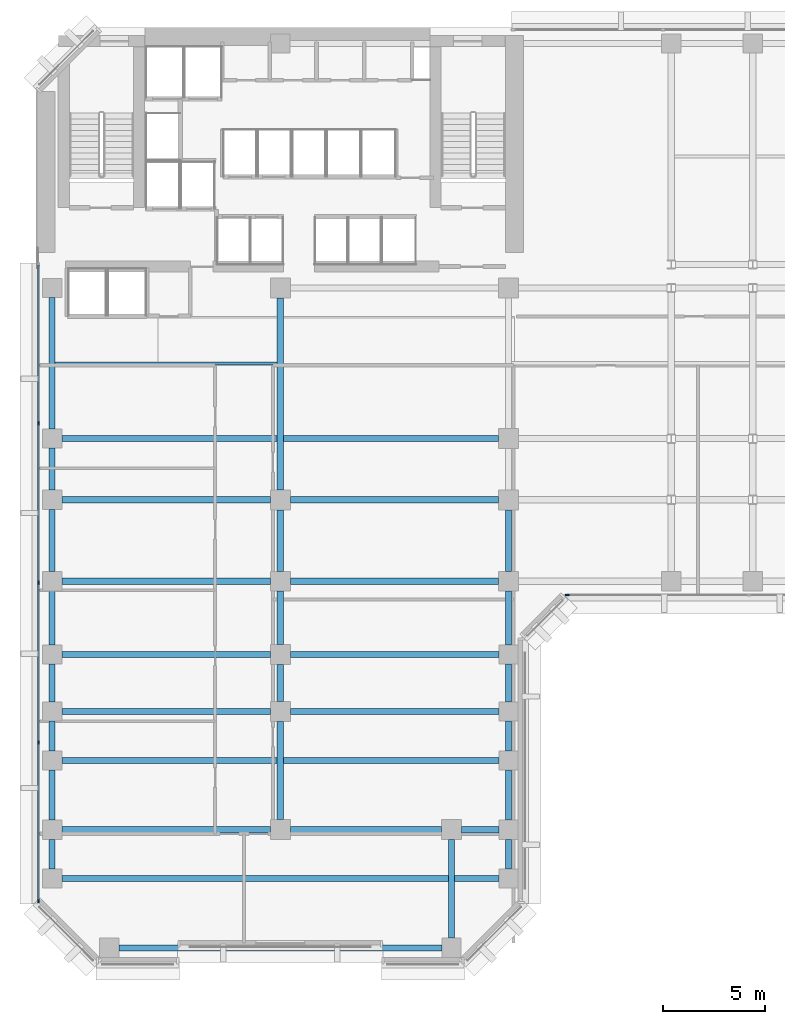
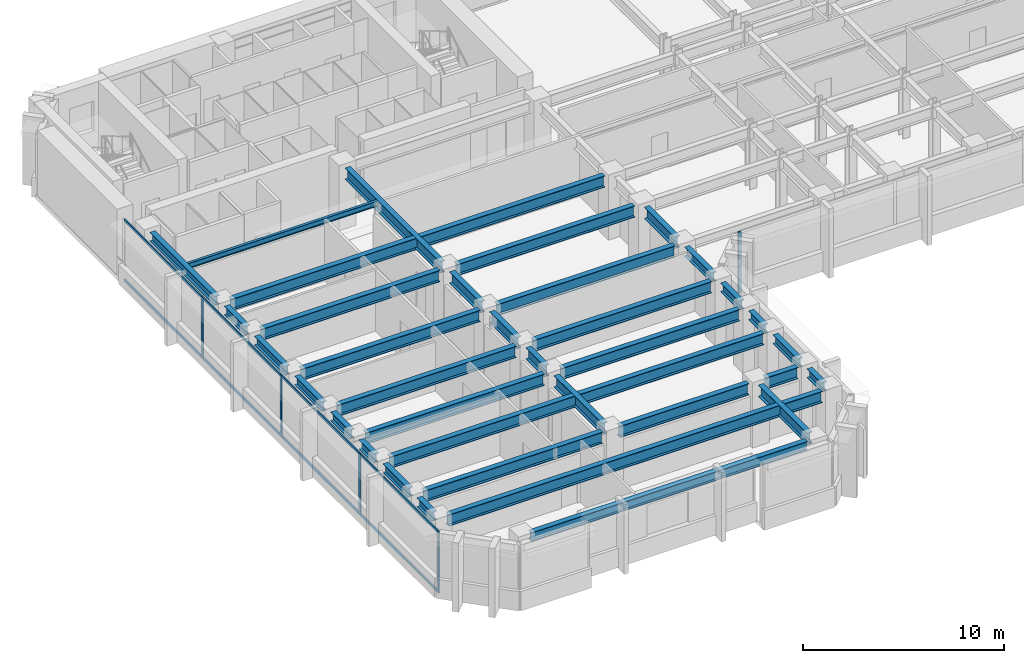
# One storey, part 2 of 13: 36 beams, 13 members, 2 elements without a shape of their own.
"""IFC4 building model written with IfcOpenShell, lengths in metres."""

from ifc_helpers import new_model, si_unit, direction, frame, origin, origin_2d, place, context, subcontext, project, spatial, rectangle, i_section, extrude, material, layer, layer_set, material_profile, profile_set, type_object, element, aggregate, save


model = new_model("IFC4")

# Units and contexts
model_context = context("Model", 3, precision=1e-05, world=origin(), true_north=direction((0.0, 1.0)))
body_context = subcontext(model_context, "Body", "Model", "MODEL_VIEW")
ifc_project = project(units=[si_unit("LENGTHUNIT", "METRE"), si_unit("AREAUNIT", "SQUARE_METRE"), si_unit("VOLUMEUNIT", "CUBIC_METRE"), si_unit("PLANEANGLEUNIT", "RADIAN"), si_unit("MASSUNIT", "GRAM", prefix="KILO")], contexts=[model_context])

# Site, building, storey
site_placement = place(None, origin())
site = spatial("IfcSite", under=ifc_project, at=site_placement, CompositionType="ELEMENT")
building_placement = place(site_placement, origin())
building = spatial("IfcBuilding", under=site, at=building_placement, Name="Kefirva Bronze Tower", CompositionType="ELEMENT")
storey_placement = place(building_placement, frame((0.0, 0.0, 102.6298828125)))
storey = spatial("IfcBuildingStorey", under=building, at=storey_placement, Name="L24", CompositionType="ELEMENT", Elevation=102.6298828125)

# Curtain wall, member
ifc_material_1 = material(Name="Bronze anodised aluminium", Category="aluminium")
ifc_layer = layer(ifc_material_1, 0.199951171875, Name="Bronze anodised aluminium")
ifc_layer_set = layer_set([ifc_layer], Name="Bronze anodised aluminium")
curtain_wall_type = type_object("IfcCurtainWallType", Name="Unitised Bronze Ribbon Curtain Wall Zone 1", PredefinedType="USERDEFINED", material=ifc_layer_set)
curtain_wall_1_placement = place(storey_placement, origin())
curtain_wall_1 = element("IfcCurtainWall", 1, at=curtain_wall_1_placement, inside=storey, type_object=curtain_wall_type, Name="L24 Curtain Wall 1", ObjectType="UNITISED CURTAIN WALL", PredefinedType="USERDEFINED")
ifc_material_profile_1 = material_profile(ifc_material_1, rectangle(XDim=0.074951171875, YDim=0.179931640625, at=origin_2d()), Name="ALU 75x180")
ifc_profile_set_1 = profile_set([ifc_material_profile_1], Name="Bronze anodised aluminium")
member_type_1 = type_object("IfcMemberType", Name="Bronze Mullion 75x180", PredefinedType="MULLION", material=ifc_profile_set_1)
member_1_placement = place(storey_placement, frame((26.092529296875, 18.1201171875, 0.0), z_axis=(0.0, 0.0, 1.0), x_axis=(0.0, 1.0, 0.0)))
member_1 = element("IfcMember", 2, at=member_1_placement, type_object=member_type_1, Name="CW-01 mullion 1", PredefinedType="MULLION", context=body_context, shape_type="SweptSolid", body=[
    extrude(rectangle(XDim=0.074951171875, YDim=0.179931640625, at=origin_2d()), origin(), (0.0, 0.0, 1.0), 3.710205078125),
])
aggregate(curtain_wall_1, [member_1])

# Curtain wall, members
curtain_wall_2_placement = place(storey_placement, origin())
curtain_wall_2 = element("IfcCurtainWall", 3, at=curtain_wall_2_placement, inside=storey, type_object=curtain_wall_type, Name="L24 Curtain Wall 4", ObjectType="UNITISED CURTAIN WALL", PredefinedType="USERDEFINED")
member_2_placement = place(storey_placement, frame((0.1201171875, 26.56005859375, 0.0), z_axis=(0.0, 0.0, 1.0), x_axis=(1.0, 0.0, 0.0)))
member_2 = element("IfcMember", 4, at=member_2_placement, type_object=member_type_1, Name="CW-01 mullion 2", PredefinedType="MULLION", context=body_context, shape_type="SweptSolid", body=[
    extrude(rectangle(XDim=0.074951171875, YDim=0.179931640625, at=origin_2d()), origin(), (0.0, 0.0, 1.0), 3.710205078125),
])
member_3_placement = place(storey_placement, frame((0.1201171875, 18.72509765625, 0.0), z_axis=(0.0, 0.0, 1.0), x_axis=(1.0, 0.0, 0.0)))
member_3 = element("IfcMember", 5, at=member_3_placement, type_object=member_type_1, Name="CW-01 mullion 3", PredefinedType="MULLION", context=body_context, shape_type="SweptSolid", body=[
    extrude(rectangle(XDim=0.074951171875, YDim=0.179931640625, at=origin_2d()), origin(), (0.0, 0.0, 1.0), 3.710205078125),
])
member_4_placement = place(storey_placement, frame((0.1201171875, 10.889892578125, 0.0), z_axis=(0.0, 0.0, 1.0), x_axis=(1.0, 0.0, 0.0)))
member_4 = element("IfcMember", 6, at=member_4_placement, type_object=member_type_1, Name="CW-01 mullion 4", PredefinedType="MULLION", context=body_context, shape_type="SweptSolid", body=[
    extrude(rectangle(XDim=0.074951171875, YDim=0.179931640625, at=origin_2d()), origin(), (0.0, 0.0, 1.0), 3.710205078125),
])
member_5_placement = place(storey_placement, frame((0.1201171875, 3.092529296875, 0.0), z_axis=(0.0, 0.0, 1.0), x_axis=(1.0, 0.0, 0.0)))
member_5 = element("IfcMember", 7, at=member_5_placement, type_object=member_type_1, Name="CW-01 mullion 5", PredefinedType="MULLION", context=body_context, shape_type="SweptSolid", body=[
    extrude(rectangle(XDim=0.074951171875, YDim=0.179931640625, at=origin_2d()), origin(), (0.0, 0.0, 1.0), 3.710205078125),
])
ifc_material_profile_2 = material_profile(ifc_material_1, rectangle(XDim=0.074951171875, YDim=0.14990234375, at=origin_2d()), Name="ALU 75x150")
ifc_profile_set_2 = profile_set([ifc_material_profile_2], Name="Bronze anodised aluminium")
member_type_2 = type_object("IfcMemberType", Name="Bronze Transom 75x150", PredefinedType="USERDEFINED", material=ifc_profile_set_2)
member_6_placement = place(storey_placement, frame((0.1201171875, 34.320068359375, 0.03759765625), z_axis=(0.0, -1.0, 0.0), x_axis=(1.0, 0.0, 0.0)))
member_6 = element("IfcMember", 8, at=member_6_placement, type_object=member_type_2, Name="CW-01 transom 1.1", ObjectType="TRANSOM", PredefinedType="USERDEFINED", context=body_context, shape_type="SweptSolid", body=[
    extrude(rectangle(XDim=0.074951171875, YDim=0.14990234375, at=origin_2d()), origin(), (0.0, 0.0, 1.0), 7.72265625),
])
member_7_placement = place(storey_placement, frame((0.1201171875, 34.320068359375, 3.672607421875), z_axis=(0.0, -1.0, 0.0), x_axis=(1.0, 0.0, 0.0)))
member_7 = element("IfcMember", 9, at=member_7_placement, type_object=member_type_2, Name="CW-01 transom 1.2", ObjectType="TRANSOM", PredefinedType="USERDEFINED", context=body_context, shape_type="SweptSolid", body=[
    extrude(rectangle(XDim=0.074951171875, YDim=0.14990234375, at=origin_2d()), origin(), (0.0, 0.0, 1.0), 7.72265625),
])
member_8_placement = place(storey_placement, frame((0.1201171875, 26.5224609375, 0.03759765625), z_axis=(0.0, -1.0, 0.0), x_axis=(1.0, 0.0, 0.0)))
member_8 = element("IfcMember", 10, at=member_8_placement, type_object=member_type_2, Name="CW-01 transom 2.1", ObjectType="TRANSOM", PredefinedType="USERDEFINED", context=body_context, shape_type="SweptSolid", body=[
    extrude(rectangle(XDim=0.074951171875, YDim=0.14990234375, at=origin_2d()), origin(), (0.0, 0.0, 1.0), 7.760009765625),
])
member_9_placement = place(storey_placement, frame((0.1201171875, 26.5224609375, 3.672607421875), z_axis=(0.0, -1.0, 0.0), x_axis=(1.0, 0.0, 0.0)))
member_9 = element("IfcMember", 11, at=member_9_placement, type_object=member_type_2, Name="CW-01 transom 2.2", ObjectType="TRANSOM", PredefinedType="USERDEFINED", context=body_context, shape_type="SweptSolid", body=[
    extrude(rectangle(XDim=0.074951171875, YDim=0.14990234375, at=origin_2d()), origin(), (0.0, 0.0, 1.0), 7.760009765625),
])
member_10_placement = place(storey_placement, frame((0.1201171875, 18.6875, 0.03759765625), z_axis=(0.0, -1.0, 0.0), x_axis=(1.0, 0.0, 0.0)))
member_10 = element("IfcMember", 12, at=member_10_placement, type_object=member_type_2, Name="CW-01 transom 3.1", ObjectType="TRANSOM", PredefinedType="USERDEFINED", context=body_context, shape_type="SweptSolid", body=[
    extrude(rectangle(XDim=0.074951171875, YDim=0.14990234375, at=origin_2d()), origin(), (0.0, 0.0, 1.0), 7.760009765625),
])
member_11_placement = place(storey_placement, frame((0.1201171875, 18.6875, 3.672607421875), z_axis=(0.0, -1.0, 0.0), x_axis=(1.0, 0.0, 0.0)))
member_11 = element("IfcMember", 13, at=member_11_placement, type_object=member_type_2, Name="CW-01 transom 3.2", ObjectType="TRANSOM", PredefinedType="USERDEFINED", context=body_context, shape_type="SweptSolid", body=[
    extrude(rectangle(XDim=0.074951171875, YDim=0.14990234375, at=origin_2d()), origin(), (0.0, 0.0, 1.0), 7.760009765625),
])
member_12_placement = place(storey_placement, frame((0.1201171875, 10.8525390625, 0.03759765625), z_axis=(0.0, -1.0, 0.0), x_axis=(1.0, 0.0, 0.0)))
member_12 = element("IfcMember", 14, at=member_12_placement, type_object=member_type_2, Name="CW-01 transom 4.1", ObjectType="TRANSOM", PredefinedType="USERDEFINED", context=body_context, shape_type="SweptSolid", body=[
    extrude(rectangle(XDim=0.074951171875, YDim=0.14990234375, at=origin_2d()), origin(), (0.0, 0.0, 1.0), 7.72265625),
])
member_13_placement = place(storey_placement, frame((0.1201171875, 10.8525390625, 3.672607421875), z_axis=(0.0, -1.0, 0.0), x_axis=(1.0, 0.0, 0.0)))
member_13 = element("IfcMember", 15, at=member_13_placement, type_object=member_type_2, Name="CW-01 transom 4.2", ObjectType="TRANSOM", PredefinedType="USERDEFINED", context=body_context, shape_type="SweptSolid", body=[
    extrude(rectangle(XDim=0.074951171875, YDim=0.14990234375, at=origin_2d()), origin(), (0.0, 0.0, 1.0), 7.72265625),
])
aggregate(curtain_wall_2, [member_2, member_3, member_4, member_5, member_6, member_7, member_8, member_9, member_10, member_11, member_12, member_13])

# Beams
ifc_material_2 = material(Name="Steel S355", Category="steel")
ifc_material_profile_3 = material_profile(ifc_material_2, i_section(OverallWidth=0.159912109375, OverallDepth=0.330078125, WebThickness=0.007568359375, FlangeThickness=0.011474609375, at=origin_2d()), Name="IPE 330")
ifc_profile_set_3 = profile_set([ifc_material_profile_3], Name="Steel S355")
beam_type_1 = type_object("IfcBeamType", Name="Steel Floor Joist IPE 330", PredefinedType="JOIST", material=ifc_profile_set_3)
beam_1_placement = place(storey_placement, frame((0.949951171875, 29.489990234375, 3.545166015625), z_axis=(1.0, 0.0, 0.0), x_axis=(0.0, 1.0, 0.0)))
element("IfcBeam", 16, at=beam_1_placement, inside=storey, type_object=beam_type_1, Name="L24 JST-L24-0-294", PredefinedType="JOIST", context=body_context, shape_type="SweptSolid", body=[
    extrude(i_section(OverallWidth=0.159912109375, OverallDepth=0.330078125, WebThickness=0.007568359375, FlangeThickness=0.011474609375, at=origin_2d()), origin(), (0.0, 0.0, 1.0), 10.900146484375),
])
ifc_material_profile_4 = material_profile(ifc_material_2, i_section(OverallWidth=0.300048828125, OverallDepth=0.699951171875, WebThickness=0.01708984375, FlangeThickness=0.031982421875, at=origin_2d()), Name="HEB 700")
ifc_profile_set_4 = profile_set([ifc_material_profile_4], Name="Steel S355")
beam_type_2 = type_object("IfcBeamType", Name="Steel Girder HEB 700", PredefinedType="USERDEFINED", material=ifc_profile_set_4)
beam_2_placement = place(storey_placement, frame((1.27001953125, 4.199951171875, 3.360107421875), z_axis=(1.0, 0.0, 0.0), x_axis=(0.0, 1.0, 0.0)))
element("IfcBeam", 17, at=beam_2_placement, inside=storey, type_object=beam_type_2, Name="L24 BM-L24-EW-0-42", ObjectType="GIRDER", PredefinedType="USERDEFINED", context=body_context, shape_type="SweptSolid", body=[
    extrude(i_section(OverallWidth=0.300048828125, OverallDepth=0.699951171875, WebThickness=0.01708984375, FlangeThickness=0.031982421875, at=origin_2d()), origin(), (0.0, 0.0, 1.0), 21.4599609375),
])
beam_3_placement = place(storey_placement, frame((1.27001953125, 6.60009765625, 3.360107421875), z_axis=(1.0, 0.0, 0.0), x_axis=(0.0, 1.0, 0.0)))
element("IfcBeam", 18, at=beam_3_placement, inside=storey, type_object=beam_type_2, Name="L24 BM-L24-EW-0-66", ObjectType="GIRDER", PredefinedType="USERDEFINED", context=body_context, shape_type="SweptSolid", body=[
    extrude(i_section(OverallWidth=0.300048828125, OverallDepth=0.699951171875, WebThickness=0.01708984375, FlangeThickness=0.031982421875, at=origin_2d()), origin(), (0.0, 0.0, 1.0), 10.239990234375),
])
beam_4_placement = place(storey_placement, frame((12.489990234375, 6.60009765625, 3.360107421875), z_axis=(1.0, 0.0, 0.0), x_axis=(0.0, 1.0, 0.0)))
element("IfcBeam", 19, at=beam_4_placement, inside=storey, type_object=beam_type_2, Name="L24 BM-L24-EW-12-66", ObjectType="GIRDER", PredefinedType="USERDEFINED", context=body_context, shape_type="SweptSolid", body=[
    extrude(i_section(OverallWidth=0.300048828125, OverallDepth=0.699951171875, WebThickness=0.01708984375, FlangeThickness=0.031982421875, at=origin_2d()), origin(), (0.0, 0.0, 1.0), 7.419921875),
])
beam_5_placement = place(storey_placement, frame((20.889892578125, 6.60009765625, 3.360107421875), z_axis=(1.0, 0.0, 0.0), x_axis=(0.0, 1.0, 0.0)))
element("IfcBeam", 20, at=beam_5_placement, inside=storey, type_object=beam_type_2, Name="L24 BM-L24-EW-20-66", ObjectType="GIRDER", PredefinedType="USERDEFINED", context=body_context, shape_type="SweptSolid", body=[
    extrude(i_section(OverallWidth=0.300048828125, OverallDepth=0.699951171875, WebThickness=0.01708984375, FlangeThickness=0.031982421875, at=origin_2d()), origin(), (0.0, 0.0, 1.0), 1.840087890625),
])
beam_6_placement = place(storey_placement, frame((1.27001953125, 10.0, 3.360107421875), z_axis=(1.0, 0.0, 0.0), x_axis=(0.0, 1.0, 0.0)))
element("IfcBeam", 21, at=beam_6_placement, inside=storey, type_object=beam_type_2, Name="L24 BM-L24-EW-0-100", ObjectType="GIRDER", PredefinedType="USERDEFINED", context=body_context, shape_type="SweptSolid", body=[
    extrude(i_section(OverallWidth=0.300048828125, OverallDepth=0.699951171875, WebThickness=0.01708984375, FlangeThickness=0.031982421875, at=origin_2d()), origin(), (0.0, 0.0, 1.0), 21.4599609375),
])
for number, where, z_axis, x_axis, name in (
    (22, (1.27001953125, 12.39990234375, 3.360107421875), (1.0, 0.0, 0.0), (0.0, 1.0, 0.0), "L24 BM-L24-EW-0-124"),
    (23, (12.489990234375, 12.39990234375, 3.360107421875), (1.0, 0.0, 0.0), (0.0, 1.0, 0.0), "L24 BM-L24-EW-12-124"),
    (24, (1.27001953125, 15.199951171875, 3.360107421875), (1.0, 0.0, 0.0), (0.0, 1.0, 0.0), "L24 BM-L24-EW-0-152"),
    (25, (12.489990234375, 15.199951171875, 3.360107421875), (1.0, 0.0, 0.0), (0.0, 1.0, 0.0), "L24 BM-L24-EW-12-152"),
    (26, (1.27001953125, 18.800048828125, 3.360107421875), (1.0, 0.0, 0.0), (0.0, 1.0, 0.0), "L24 BM-L24-EW-0-188"),
):
    element("IfcBeam", number, at=place(storey_placement, frame(where, z_axis=z_axis, x_axis=x_axis)), inside=storey, type_object=beam_type_2, Name=name, ObjectType="GIRDER", PredefinedType="USERDEFINED", context=body_context, shape_type="SweptSolid", body=[
        extrude(i_section(OverallWidth=0.300048828125, OverallDepth=0.699951171875, WebThickness=0.01708984375, FlangeThickness=0.031982421875, at=origin_2d()), origin(), (0.0, 0.0, 1.0), 10.239990234375),
    ])
beam_7_placement = place(storey_placement, frame((12.489990234375, 18.800048828125, 3.360107421875), z_axis=(1.0, 0.0, 0.0), x_axis=(0.0, 1.0, 0.0)))
element("IfcBeam", 27, at=beam_7_placement, inside=storey, type_object=beam_type_2, Name="L24 BM-L24-EW-12-188", ObjectType="GIRDER", PredefinedType="USERDEFINED", context=body_context, shape_type="SweptSolid", body=[
    extrude(i_section(OverallWidth=0.300048828125, OverallDepth=0.699951171875, WebThickness=0.01708984375, FlangeThickness=0.031982421875, at=origin_2d()), origin(), (0.0, 0.0, 1.0), 10.219970703125),
])
beam_8_placement = place(storey_placement, frame((1.27001953125, 22.800048828125, 3.360107421875), z_axis=(1.0, 0.0, 0.0), x_axis=(0.0, 1.0, 0.0)))
element("IfcBeam", 28, at=beam_8_placement, inside=storey, type_object=beam_type_2, Name="L24 BM-L24-EW-0-228", ObjectType="GIRDER", PredefinedType="USERDEFINED", context=body_context, shape_type="SweptSolid", body=[
    extrude(i_section(OverallWidth=0.300048828125, OverallDepth=0.699951171875, WebThickness=0.01708984375, FlangeThickness=0.031982421875, at=origin_2d()), origin(), (0.0, 0.0, 1.0), 10.239990234375),
])
beam_9_placement = place(storey_placement, frame((12.489990234375, 22.800048828125, 3.360107421875), z_axis=(1.0, 0.0, 0.0), x_axis=(0.0, 1.0, 0.0)))
element("IfcBeam", 29, at=beam_9_placement, inside=storey, type_object=beam_type_2, Name="L24 BM-L24-EW-12-228", ObjectType="GIRDER", PredefinedType="USERDEFINED", context=body_context, shape_type="SweptSolid", body=[
    extrude(i_section(OverallWidth=0.300048828125, OverallDepth=0.699951171875, WebThickness=0.01708984375, FlangeThickness=0.031982421875, at=origin_2d()), origin(), (0.0, 0.0, 1.0), 10.219970703125),
])
beam_10_placement = place(storey_placement, frame((1.27001953125, 25.800048828125, 3.360107421875), z_axis=(1.0, 0.0, 0.0), x_axis=(0.0, 1.0, 0.0)))
element("IfcBeam", 30, at=beam_10_placement, inside=storey, type_object=beam_type_2, Name="L24 BM-L24-EW-0-258", ObjectType="GIRDER", PredefinedType="USERDEFINED", context=body_context, shape_type="SweptSolid", body=[
    extrude(i_section(OverallWidth=0.300048828125, OverallDepth=0.699951171875, WebThickness=0.01708984375, FlangeThickness=0.031982421875, at=origin_2d()), origin(), (0.0, 0.0, 1.0), 21.43994140625),
])
beam_11_placement = place(storey_placement, frame((12.0, 7.090087890625, 3.360107421875), z_axis=(0.0, 1.0, 0.0), x_axis=(-1.0, 0.0, 0.0)))
element("IfcBeam", 31, at=beam_11_placement, inside=storey, type_object=beam_type_2, Name="L24 BM-L24-NS-120-6", ObjectType="GIRDER", PredefinedType="USERDEFINED", context=body_context, shape_type="SweptSolid", body=[
    extrude(i_section(OverallWidth=0.300048828125, OverallDepth=0.699951171875, WebThickness=0.01708984375, FlangeThickness=0.031982421875, at=origin_2d()), origin(), (0.0, 0.0, 1.0), 4.81982421875),
])
beam_12_placement = place(storey_placement, frame((12.0, 12.889892578125, 3.360107421875), z_axis=(0.0, 1.0, 0.0), x_axis=(-1.0, 0.0, 0.0)))
element("IfcBeam", 32, at=beam_12_placement, inside=storey, type_object=beam_type_2, Name="L24 BM-L24-NS-120-12", ObjectType="GIRDER", PredefinedType="USERDEFINED", context=body_context, shape_type="SweptSolid", body=[
    extrude(i_section(OverallWidth=0.300048828125, OverallDepth=0.699951171875, WebThickness=0.01708984375, FlangeThickness=0.031982421875, at=origin_2d()), origin(), (0.0, 0.0, 1.0), 1.820068359375),
])
beam_13_placement = place(storey_placement, frame((12.0, 15.68994140625, 3.360107421875), z_axis=(0.0, 1.0, 0.0), x_axis=(-1.0, 0.0, 0.0)))
element("IfcBeam", 33, at=beam_13_placement, inside=storey, type_object=beam_type_2, Name="L24 BM-L24-NS-120-15", ObjectType="GIRDER", PredefinedType="USERDEFINED", context=body_context, shape_type="SweptSolid", body=[
    extrude(i_section(OverallWidth=0.300048828125, OverallDepth=0.699951171875, WebThickness=0.01708984375, FlangeThickness=0.031982421875, at=origin_2d()), origin(), (0.0, 0.0, 1.0), 2.6201171875),
])
beam_14_placement = place(storey_placement, frame((12.0, 19.2900390625, 3.360107421875), z_axis=(0.0, 1.0, 0.0), x_axis=(-1.0, 0.0, 0.0)))
element("IfcBeam", 34, at=beam_14_placement, inside=storey, type_object=beam_type_2, Name="L24 BM-L24-NS-120-18", ObjectType="GIRDER", PredefinedType="USERDEFINED", context=body_context, shape_type="SweptSolid", body=[
    extrude(i_section(OverallWidth=0.300048828125, OverallDepth=0.699951171875, WebThickness=0.01708984375, FlangeThickness=0.031982421875, at=origin_2d()), origin(), (0.0, 0.0, 1.0), 3.02001953125),
])
beam_15_placement = place(storey_placement, frame((12.0, 23.2900390625, 3.360107421875), z_axis=(0.0, 1.0, 0.0), x_axis=(-1.0, 0.0, 0.0)))
element("IfcBeam", 35, at=beam_15_placement, inside=storey, type_object=beam_type_2, Name="L24 BM-L24-NS-120-22", ObjectType="GIRDER", PredefinedType="USERDEFINED", context=body_context, shape_type="SweptSolid", body=[
    extrude(i_section(OverallWidth=0.300048828125, OverallDepth=0.699951171875, WebThickness=0.01708984375, FlangeThickness=0.031982421875, at=origin_2d()), origin(), (0.0, 0.0, 1.0), 9.419921875),
])
beam_16_placement = place(storey_placement, frame((20.39990234375, 1.27001953125, 3.360107421875), z_axis=(0.0, 1.0, 0.0), x_axis=(-1.0, 0.0, 0.0)))
element("IfcBeam", 36, at=beam_16_placement, inside=storey, type_object=beam_type_2, Name="L24 BM-L24-NS-204-0", ObjectType="GIRDER", PredefinedType="USERDEFINED", context=body_context, shape_type="SweptSolid", body=[
    extrude(i_section(OverallWidth=0.300048828125, OverallDepth=0.699951171875, WebThickness=0.01708984375, FlangeThickness=0.031982421875, at=origin_2d()), origin(), (0.0, 0.0, 1.0), 4.840087890625),
])
beam_17_placement = place(storey_placement, frame((23.199951171875, 19.2900390625, 3.360107421875), z_axis=(0.0, 1.0, 0.0), x_axis=(-1.0, 0.0, 0.0)))
element("IfcBeam", 37, at=beam_17_placement, inside=storey, type_object=beam_type_2, Name="L24 BM-L24-NS-232-18", ObjectType="GIRDER", PredefinedType="USERDEFINED", context=body_context, shape_type="SweptSolid", body=[
    extrude(i_section(OverallWidth=0.300048828125, OverallDepth=0.699951171875, WebThickness=0.01708984375, FlangeThickness=0.031982421875, at=origin_2d()), origin(), (0.0, 0.0, 1.0), 3.02001953125),
])
ifc_material_profile_5 = material_profile(ifc_material_2, i_section(OverallWidth=0.300048828125, OverallDepth=0.550048828125, WebThickness=0.014892578125, FlangeThickness=0.029052734375, at=origin_2d()), Name="HEB 550")
ifc_profile_set_5 = profile_set([ifc_material_profile_5], Name="Steel S355")
beam_type_3 = type_object("IfcBeamType", Name="Steel Spandrel HEB 550 Ext", PredefinedType="SPANDREL", material=ifc_profile_set_5)
beam_18_placement = place(storey_placement, frame((4.070068359375, 0.800048828125, 3.43505859375), z_axis=(1.0, 0.0, 0.0), x_axis=(0.0, 1.0, 0.0)))
element("IfcBeam", 38, at=beam_18_placement, inside=storey, type_object=beam_type_3, Name="L24 BM-L24-EW-3-8", PredefinedType="SPANDREL", context=body_context, shape_type="SweptSolid", body=[
    extrude(i_section(OverallWidth=0.300048828125, OverallDepth=0.550048828125, WebThickness=0.014892578125, FlangeThickness=0.029052734375, at=origin_2d()), origin(), (0.0, 0.0, 1.0), 15.85986328125),
])
beam_19_placement = place(storey_placement, frame((0.800048828125, 4.669921875, 3.43505859375), z_axis=(0.0, 1.0, 0.0), x_axis=(-1.0, 0.0, 0.0)))
element("IfcBeam", 39, at=beam_19_placement, inside=storey, type_object=beam_type_3, Name="L24 BM-L24-NS-8-4", PredefinedType="SPANDREL", context=body_context, shape_type="SweptSolid", body=[
    extrude(i_section(OverallWidth=0.300048828125, OverallDepth=0.550048828125, WebThickness=0.014892578125, FlangeThickness=0.029052734375, at=origin_2d()), origin(), (0.0, 0.0, 1.0), 1.4599609375),
])
beam_20_placement = place(storey_placement, frame((0.800048828125, 7.070068359375, 3.43505859375), z_axis=(0.0, 1.0, 0.0), x_axis=(-1.0, 0.0, 0.0)))
element("IfcBeam", 40, at=beam_20_placement, inside=storey, type_object=beam_type_3, Name="L24 BM-L24-NS-8-6", PredefinedType="SPANDREL", context=body_context, shape_type="SweptSolid", body=[
    extrude(i_section(OverallWidth=0.300048828125, OverallDepth=0.550048828125, WebThickness=0.014892578125, FlangeThickness=0.029052734375, at=origin_2d()), origin(), (0.0, 0.0, 1.0), 2.4599609375),
])
beam_21_placement = place(storey_placement, frame((0.800048828125, 10.469970703125, 3.43505859375), z_axis=(0.0, 1.0, 0.0), x_axis=(-1.0, 0.0, 0.0)))
element("IfcBeam", 41, at=beam_21_placement, inside=storey, type_object=beam_type_3, Name="L24 BM-L24-NS-8-10", PredefinedType="SPANDREL", context=body_context, shape_type="SweptSolid", body=[
    extrude(i_section(OverallWidth=0.300048828125, OverallDepth=0.550048828125, WebThickness=0.014892578125, FlangeThickness=0.029052734375, at=origin_2d()), origin(), (0.0, 0.0, 1.0), 1.4599609375),
])
beam_22_placement = place(storey_placement, frame((0.800048828125, 12.8701171875, 3.43505859375), z_axis=(0.0, 1.0, 0.0), x_axis=(-1.0, 0.0, 0.0)))
element("IfcBeam", 42, at=beam_22_placement, inside=storey, type_object=beam_type_3, Name="L24 BM-L24-NS-8-12", PredefinedType="SPANDREL", context=body_context, shape_type="SweptSolid", body=[
    extrude(i_section(OverallWidth=0.300048828125, OverallDepth=0.550048828125, WebThickness=0.014892578125, FlangeThickness=0.029052734375, at=origin_2d()), origin(), (0.0, 0.0, 1.0), 1.85986328125),
])
beam_23_placement = place(storey_placement, frame((0.800048828125, 15.669921875, 3.43505859375), z_axis=(0.0, 1.0, 0.0), x_axis=(-1.0, 0.0, 0.0)))
element("IfcBeam", 43, at=beam_23_placement, inside=storey, type_object=beam_type_3, Name="L24 BM-L24-NS-8-15", PredefinedType="SPANDREL", context=body_context, shape_type="SweptSolid", body=[
    extrude(i_section(OverallWidth=0.300048828125, OverallDepth=0.550048828125, WebThickness=0.014892578125, FlangeThickness=0.029052734375, at=origin_2d()), origin(), (0.0, 0.0, 1.0), 2.66015625),
])
beam_24_placement = place(storey_placement, frame((0.800048828125, 19.27001953125, 3.43505859375), z_axis=(0.0, 1.0, 0.0), x_axis=(-1.0, 0.0, 0.0)))
element("IfcBeam", 44, at=beam_24_placement, inside=storey, type_object=beam_type_3, Name="L24 BM-L24-NS-8-18", PredefinedType="SPANDREL", context=body_context, shape_type="SweptSolid", body=[
    extrude(i_section(OverallWidth=0.300048828125, OverallDepth=0.550048828125, WebThickness=0.014892578125, FlangeThickness=0.029052734375, at=origin_2d()), origin(), (0.0, 0.0, 1.0), 3.06005859375),
])
beam_25_placement = place(storey_placement, frame((0.800048828125, 23.27001953125, 3.43505859375), z_axis=(0.0, 1.0, 0.0), x_axis=(-1.0, 0.0, 0.0)))
element("IfcBeam", 45, at=beam_25_placement, inside=storey, type_object=beam_type_3, Name="L24 BM-L24-NS-8-22", PredefinedType="SPANDREL", context=body_context, shape_type="SweptSolid", body=[
    extrude(i_section(OverallWidth=0.300048828125, OverallDepth=0.550048828125, WebThickness=0.014892578125, FlangeThickness=0.029052734375, at=origin_2d()), origin(), (0.0, 0.0, 1.0), 2.06005859375),
])
beam_26_placement = place(storey_placement, frame((0.800048828125, 26.27001953125, 3.43505859375), z_axis=(0.0, 1.0, 0.0), x_axis=(-1.0, 0.0, 0.0)))
element("IfcBeam", 46, at=beam_26_placement, inside=storey, type_object=beam_type_3, Name="L24 BM-L24-NS-8-25", PredefinedType="SPANDREL", context=body_context, shape_type="SweptSolid", body=[
    extrude(i_section(OverallWidth=0.300048828125, OverallDepth=0.550048828125, WebThickness=0.014892578125, FlangeThickness=0.029052734375, at=origin_2d()), origin(), (0.0, 0.0, 1.0), 6.4599609375),
])
beam_27_placement = place(storey_placement, frame((23.199951171875, 4.669921875, 3.43505859375), z_axis=(0.0, 1.0, 0.0), x_axis=(-1.0, 0.0, 0.0)))
element("IfcBeam", 47, at=beam_27_placement, inside=storey, type_object=beam_type_3, Name="L24 BM-L24-NS-232-4", PredefinedType="SPANDREL", context=body_context, shape_type="SweptSolid", body=[
    extrude(i_section(OverallWidth=0.300048828125, OverallDepth=0.550048828125, WebThickness=0.014892578125, FlangeThickness=0.029052734375, at=origin_2d()), origin(), (0.0, 0.0, 1.0), 1.4599609375),
])
beam_28_placement = place(storey_placement, frame((23.199951171875, 7.070068359375, 3.43505859375), z_axis=(0.0, 1.0, 0.0), x_axis=(-1.0, 0.0, 0.0)))
element("IfcBeam", 48, at=beam_28_placement, inside=storey, type_object=beam_type_3, Name="L24 BM-L24-NS-232-6", PredefinedType="SPANDREL", context=body_context, shape_type="SweptSolid", body=[
    extrude(i_section(OverallWidth=0.300048828125, OverallDepth=0.550048828125, WebThickness=0.014892578125, FlangeThickness=0.029052734375, at=origin_2d()), origin(), (0.0, 0.0, 1.0), 2.4599609375),
])
beam_29_placement = place(storey_placement, frame((23.199951171875, 10.469970703125, 3.43505859375), z_axis=(0.0, 1.0, 0.0), x_axis=(-1.0, 0.0, 0.0)))
element("IfcBeam", 49, at=beam_29_placement, inside=storey, type_object=beam_type_3, Name="L24 BM-L24-NS-232-10", PredefinedType="SPANDREL", context=body_context, shape_type="SweptSolid", body=[
    extrude(i_section(OverallWidth=0.300048828125, OverallDepth=0.550048828125, WebThickness=0.014892578125, FlangeThickness=0.029052734375, at=origin_2d()), origin(), (0.0, 0.0, 1.0), 1.4599609375),
])
beam_30_placement = place(storey_placement, frame((23.199951171875, 12.8701171875, 3.43505859375), z_axis=(0.0, 1.0, 0.0), x_axis=(-1.0, 0.0, 0.0)))
element("IfcBeam", 50, at=beam_30_placement, inside=storey, type_object=beam_type_3, Name="L24 BM-L24-NS-232-12", PredefinedType="SPANDREL", context=body_context, shape_type="SweptSolid", body=[
    extrude(i_section(OverallWidth=0.300048828125, OverallDepth=0.550048828125, WebThickness=0.014892578125, FlangeThickness=0.029052734375, at=origin_2d()), origin(), (0.0, 0.0, 1.0), 1.85986328125),
])
beam_31_placement = place(storey_placement, frame((23.199951171875, 15.669921875, 3.43505859375), z_axis=(0.0, 1.0, 0.0), x_axis=(-1.0, 0.0, 0.0)))
element("IfcBeam", 51, at=beam_31_placement, inside=storey, type_object=beam_type_3, Name="L24 BM-L24-NS-232-15", PredefinedType="SPANDREL", context=body_context, shape_type="SweptSolid", body=[
    extrude(i_section(OverallWidth=0.300048828125, OverallDepth=0.550048828125, WebThickness=0.014892578125, FlangeThickness=0.029052734375, at=origin_2d()), origin(), (0.0, 0.0, 1.0), 2.64013671875),
])

save(model, "model.ifc")
